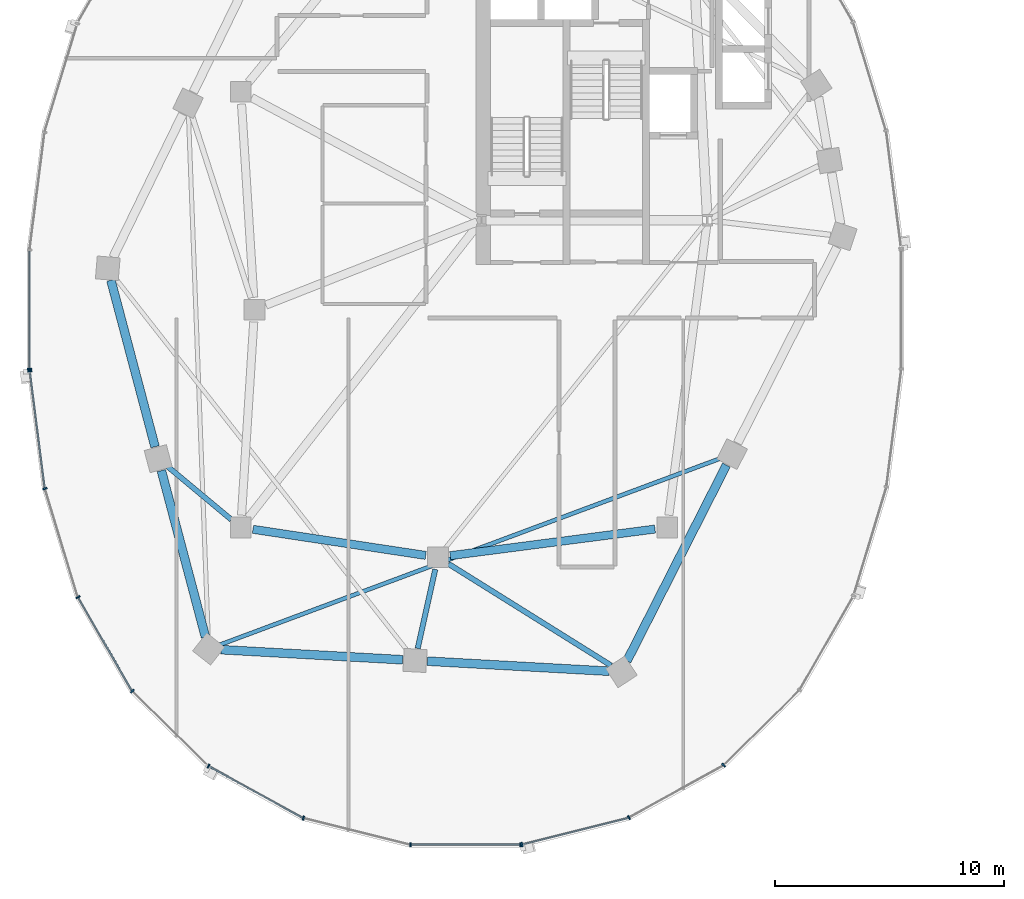
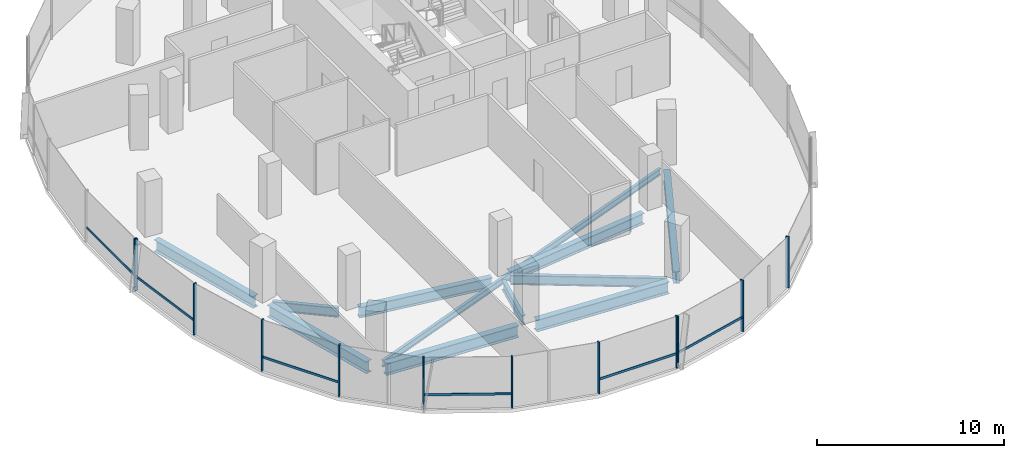
# One storey, part 2 of 22: 18 members, 11 beams, 3 elements without a shape of their own.
"""IFC4 building model written with IfcOpenShell, lengths in metres."""

from ifc_helpers import new_model, si_unit, direction, frame, origin, origin_2d, place, context, subcontext, project, spatial, rectangle, i_section, extrude, material, material_profile, profile_set, type_object, element, aggregate, save


model = new_model("IFC4")

# Units and contexts
model_context = context("Model", 3, precision=1e-05, world=origin(), true_north=direction((0.0, 1.0)))
body_context = subcontext(model_context, "Body", "Model", "MODEL_VIEW")
ifc_project = project(units=[si_unit("LENGTHUNIT", "METRE"), si_unit("AREAUNIT", "SQUARE_METRE"), si_unit("VOLUMEUNIT", "CUBIC_METRE"), si_unit("PLANEANGLEUNIT", "RADIAN"), si_unit("MASSUNIT", "GRAM", prefix="KILO"), si_unit("THERMODYNAMICTEMPERATUREUNIT", "KELVIN"), si_unit("POWERUNIT", "WATT")], contexts=[model_context])

# Site, building, storey
site_placement = place(None, origin())
site = spatial("IfcSite", under=ifc_project, at=site_placement, CompositionType="ELEMENT")
building_placement = place(site_placement, origin())
building = spatial("IfcBuilding", under=site, at=building_placement, Name="Cundina Bronze Exchange", CompositionType="ELEMENT")
storey_placement = place(building_placement, frame((0.0, 0.0, 136.800048828125)))
storey = spatial("IfcBuildingStorey", under=building, at=storey_placement, Name="L35", CompositionType="ELEMENT", Elevation=136.800048828125)

# Beams
ifc_material_1 = material(Name="Steel ASTM A992 Grade 50", Category="steel")
ifc_material_profile_1 = material_profile(ifc_material_1, i_section(OverallWidth=0.22998046875, OverallDepth=0.616943359375, WebThickness=0.01318359375, FlangeThickness=0.022216796875, FilletRadius=0.013916015625, at=origin_2d()), Name="W24X94", Category="steel")
ifc_profile_set_1 = profile_set([ifc_material_profile_1], Name="Steel ASTM A992 Grade 50")
beam_type_1 = type_object("IfcBeamType", Name="BM-FLR-W24B", PredefinedType="BEAM", material=ifc_profile_set_1)
beam_1_placement = place(storey_placement, frame((-42.21337890625, -9.155517578125, -0.548583984375), z_axis=(-0.768243451945, 0.640157791911, 0.0), x_axis=(-0.640157791911, -0.768243451945, 0.0)))
element("IfcBeam", 1, at=beam_1_placement, inside=storey, type_object=beam_type_1, Name="L35 Leg W Radial Floor Beam 09", PredefinedType="BEAM", context=body_context, shape_type="SweptSolid", body=[
    extrude(i_section(OverallWidth=0.22998046875, OverallDepth=0.616943359375, WebThickness=0.01318359375, FlangeThickness=0.022216796875, FilletRadius=0.013916015625, at=origin_2d()), origin(), (0.0, 0.0, 1.0), 3.610107421875),
])
beam_2_placement = place(storey_placement, frame((-33.316650390625, -11.3251953125, -0.548583984375), z_axis=(-0.216930457819, -0.976187060184, 0.0), x_axis=(0.976187060184, -0.216930457819, 0.0)))
element("IfcBeam", 2, at=beam_2_placement, inside=storey, type_object=beam_type_1, Name="L35 Leg W Radial Floor Beam 11", PredefinedType="BEAM", context=body_context, shape_type="SweptSolid", body=[
    extrude(i_section(OverallWidth=0.22998046875, OverallDepth=0.616943359375, WebThickness=0.01318359375, FlangeThickness=0.022216796875, FilletRadius=0.013916015625, at=origin_2d()), origin(), (0.0, 0.0, 1.0), 3.533935546875),
])
beam_3_placement = place(storey_placement, frame((-32.743896484375, -11.085205078125, -0.548583984375), z_axis=(0.848003227047, -0.529991063055, 0.0), x_axis=(0.529991063055, 0.848003227047, 0.0)))
element("IfcBeam", 3, at=beam_3_placement, inside=storey, type_object=beam_type_1, Name="L35 Leg W Radial Floor Beam 12", PredefinedType="BEAM", context=body_context, shape_type="SweptSolid", body=[
    extrude(i_section(OverallWidth=0.22998046875, OverallDepth=0.616943359375, WebThickness=0.01318359375, FlangeThickness=0.022216796875, FilletRadius=0.013916015625, at=origin_2d()), origin(), (0.0, 0.0, 1.0), 8.358154296875),
])
ifc_material_profile_2 = material_profile(ifc_material_1, i_section(OverallWidth=0.178955078125, OverallDepth=0.409912109375, WebThickness=0.0087890625, FlangeThickness=0.014404296875, FilletRadius=0.010986328125, at=origin_2d()), Name="W16X45", Category="steel")
ifc_profile_set_2 = profile_set([ifc_material_profile_2], Name="Steel ASTM A992 Grade 50")
beam_type_2 = type_object("IfcBeamType", Name="BM-JST-W16", PredefinedType="JOIST", material=ifc_profile_set_2)
beam_4_placement = place(storey_placement, frame((-42.69580078125, -14.6123046875, -0.445068359375), z_axis=(0.937127917421, 0.348986054721, 0.0), x_axis=(-0.348986054721, 0.937127917421, 0.0)))
element("IfcBeam", 4, at=beam_4_placement, inside=storey, type_object=beam_type_2, Name="L35 Leg W Lobe Floor Joist 10-13", PredefinedType="JOIST", context=body_context, shape_type="SweptSolid", body=[
    extrude(i_section(OverallWidth=0.178955078125, OverallDepth=0.409912109375, WebThickness=0.0087890625, FlangeThickness=0.014404296875, FilletRadius=0.010986328125, at=origin_2d()), origin(), (0.0, 0.0, 1.0), 23.2802734375),
])
ifc_material_profile_3 = material_profile(ifc_material_1, i_section(OverallWidth=0.35498046875, OverallDepth=0.695068359375, WebThickness=0.015380859375, FlangeThickness=0.02490234375, FilletRadius=0.01806640625, at=origin_2d()), Name="W27X146", Category="steel")
ifc_profile_set_3 = profile_set([ifc_material_profile_3], Name="Steel ASTM A992 Grade 50")
beam_type_3 = type_object("IfcBeamType", Name="BM-RING-W27", PredefinedType="USERDEFINED", material=ifc_profile_set_3)
beam_5_placement = place(storey_placement, frame((-41.26806640625, -9.580322265625, -0.587646484375), z_axis=(0.988767489563, -0.149461873341, 0.0), x_axis=(0.149461873341, 0.988767489563, 0.0)))
element("IfcBeam", 5, at=beam_5_placement, inside=storey, type_object=beam_type_3, Name="L35 W Inner Structural Ring Girder 05", ObjectType="GIRDER", PredefinedType="USERDEFINED", context=body_context, shape_type="SweptSolid", body=[
    extrude(i_section(OverallWidth=0.35498046875, OverallDepth=0.695068359375, WebThickness=0.015380859375, FlangeThickness=0.02490234375, FilletRadius=0.01806640625, at=origin_2d()), origin(), (0.0, 0.0, 1.0), 7.621826171875),
])
beam_6_placement = place(storey_placement, frame((-32.66650390625, -10.730712890625, -0.587646484375), z_axis=(0.991654577907, 0.128923225666, 0.0), x_axis=(-0.128923225666, 0.991654577907, 0.0)))
element("IfcBeam", 6, at=beam_6_placement, inside=storey, type_object=beam_type_3, Name="L35 W Inner Structural Ring Girder 06", ObjectType="GIRDER", PredefinedType="USERDEFINED", context=body_context, shape_type="SweptSolid", body=[
    extrude(i_section(OverallWidth=0.35498046875, OverallDepth=0.695068359375, WebThickness=0.015380859375, FlangeThickness=0.02490234375, FilletRadius=0.01806640625, at=origin_2d()), origin(), (0.0, 0.0, 1.0), 9.00830078125),
])
ifc_material_profile_4 = material_profile(ifc_material_1, i_section(OverallWidth=0.381103515625, OverallDepth=0.77294921875, WebThickness=0.0166015625, FlangeThickness=0.027099609375, FilletRadius=0.01904296875, at=origin_2d()), Name="W30X173", Category="steel")
ifc_profile_set_4 = profile_set([ifc_material_profile_4], Name="Steel ASTM A992 Grade 50")
beam_type_4 = type_object("IfcBeamType", Name="BM-RING-W30", PredefinedType="USERDEFINED", material=ifc_profile_set_4)
for number, where, z_axis, x_axis, name in (
    (7, (-47.462158203125, 1.280029296875, -0.62646484375), (0.256209719931, -0.966621218168, 0.0), (0.966621218168, 0.256209719931, 0.0), "L35 W Perimeter Ring Girder 08"),
    (8, (-45.26220703125, -7.02001953125, -0.62646484375), (0.256209719931, -0.966621218168, 0.0), (0.966621218168, 0.256209719931, 0.0), "L35 W Perimeter Ring Girder 09"),
):
    element("IfcBeam", number, at=place(storey_placement, frame(where, z_axis=z_axis, x_axis=x_axis)), inside=storey, type_object=beam_type_4, Name=name, ObjectType="GIRDER", PredefinedType="USERDEFINED", context=body_context, shape_type="SweptSolid", body=[
        extrude(i_section(OverallWidth=0.381103515625, OverallDepth=0.77294921875, WebThickness=0.0166015625, FlangeThickness=0.027099609375, FilletRadius=0.01904296875, at=origin_2d()), origin(), (0.0, 0.0, 1.0), 7.5107421875),
    ])
for number, where, z_axis, x_axis, name in (
    (9, (-42.662841796875, -14.829833984375, -0.62646484375), (0.99845950136, -0.055485350721, 0.0), (0.055485350721, 0.99845950136, 0.0), "L35 W Perimeter Ring Girder 10"),
    (10, (-33.662841796875, -15.329833984375, -0.62646484375), (0.99845950136, -0.055485350721, 0.0), (0.055485350721, 0.99845950136, 0.0), "L35 W Perimeter Ring Girder 11"),
):
    element("IfcBeam", number, at=place(storey_placement, frame(where, z_axis=z_axis, x_axis=x_axis)), inside=storey, type_object=beam_type_4, Name=name, ObjectType="GIRDER", PredefinedType="USERDEFINED", context=body_context, shape_type="SweptSolid", body=[
        extrude(i_section(OverallWidth=0.381103515625, OverallDepth=0.77294921875, WebThickness=0.0166015625, FlangeThickness=0.027099609375, FilletRadius=0.01904296875, at=origin_2d()), origin(), (0.0, 0.0, 1.0), 7.937744140625),
    ])
beam_7_placement = place(storey_placement, frame((-24.956298828125, -15.3203125, -0.62646484375), z_axis=(0.452832332744, 0.891595692241, 0.0), x_axis=(-0.891595692241, 0.452832332744, 0.0)))
element("IfcBeam", 11, at=beam_7_placement, inside=storey, type_object=beam_type_4, Name="L35 W Perimeter Ring Girder 12", ObjectType="GIRDER", PredefinedType="USERDEFINED", context=body_context, shape_type="SweptSolid", body=[
    extrude(i_section(OverallWidth=0.381103515625, OverallDepth=0.77294921875, WebThickness=0.0166015625, FlangeThickness=0.027099609375, FilletRadius=0.01904296875, at=origin_2d()), origin(), (0.0, 0.0, 1.0), 9.578857421875),
])

# Curtain wall, member
ifc_material_2 = material(Name="Anodised Bronze Aluminium 6063-T6", Category="aluminium")
curtain_wall_type = type_object("IfcCurtainWallType", Name="CWS-WST-PIN", PredefinedType="NOTDEFINED", material=ifc_material_2)
curtain_wall_1_placement = place(storey_placement, origin())
curtain_wall_1 = element("IfcCurtainWall", 12, at=curtain_wall_1_placement, inside=storey, type_object=curtain_wall_type, Name="L35 CW-04 Curtain Wall Run CWR-L35-W2", PredefinedType="NOTDEFINED")
ifc_material_profile_5 = material_profile(ifc_material_2, rectangle(XDim=0.070068359375, YDim=0.18994140625, at=origin_2d()), Name="AL70X190", Category="aluminium")
ifc_profile_set_5 = profile_set([ifc_material_profile_5], Name="Anodised Bronze Aluminium 6063-T6")
member_type_1 = type_object("IfcMemberType", Name="CWM-MUL-190", PredefinedType="MULLION", material=ifc_profile_set_5)
member_1_placement = place(storey_placement, frame((-51.007080078125, -2.593017578125, 0.0), z_axis=(0.0, 0.0, 1.0), x_axis=(0.0, -1.0, 0.0)))
member_1 = element("IfcMember", 13, at=member_1_placement, type_object=member_type_1, Name="CW-04 End Mullion", PredefinedType="MULLION", context=body_context, shape_type="SweptSolid", body=[
    extrude(rectangle(XDim=0.070068359375, YDim=0.18994140625, at=origin_2d()), origin(), (0.0, 0.0, 1.0), 3.35986328125),
])

# Curtain wall, members
curtain_wall_2_placement = place(storey_placement, origin())
curtain_wall_2 = element("IfcCurtainWall", 14, at=curtain_wall_2_placement, inside=storey, type_object=curtain_wall_type, Name="L35 CW-04 Curtain Wall Run CWR-L35-W3", PredefinedType="NOTDEFINED")
member_2_placement = place(storey_placement, frame((-51.001708984375, -2.676025390625, 0.0), z_axis=(0.0, 0.0, 1.0), x_axis=(0.126545236492, -0.991960837494, 0.0)))
member_2 = element("IfcMember", 15, at=member_2_placement, type_object=member_type_1, Name="CW-04 Mullion 1", PredefinedType="MULLION", context=body_context, shape_type="SweptSolid", body=[
    extrude(rectangle(XDim=0.070068359375, YDim=0.18994140625, at=origin_2d()), origin(), (0.0, 0.0, 1.0), 3.35986328125),
])
member_3_placement = place(storey_placement, frame((-50.3408203125, -7.80859375, 0.0), z_axis=(0.0, 0.0, 1.0), x_axis=(0.290034140915, -0.957016299288, 0.0)))
member_3 = element("IfcMember", 16, at=member_3_placement, type_object=member_type_1, Name="CW-04 Mullion 2", PredefinedType="MULLION", context=body_context, shape_type="SweptSolid", body=[
    extrude(rectangle(XDim=0.070068359375, YDim=0.18994140625, at=origin_2d()), origin(), (0.0, 0.0, 1.0), 3.35986328125),
])
member_4_placement = place(storey_placement, frame((-48.89794921875, -12.541259765625, 0.0), z_axis=(0.0, 0.0, 1.0), x_axis=(0.498487739754, -0.866896748936, 0.0)))
member_4 = element("IfcMember", 17, at=member_4_placement, type_object=member_type_1, Name="CW-04 Mullion 3", PredefinedType="MULLION", context=body_context, shape_type="SweptSolid", body=[
    extrude(rectangle(XDim=0.070068359375, YDim=0.18994140625, at=origin_2d()), origin(), (0.0, 0.0, 1.0), 3.35986328125),
])
member_5_placement = place(storey_placement, frame((-46.530517578125, -16.640380859375, 0.0), z_axis=(0.0, 0.0, 1.0), x_axis=(0.712026045991, -0.702153052995, 0.0)))
member_5 = element("IfcMember", 18, at=member_5_placement, type_object=member_type_1, Name="CW-04 Mullion 4", PredefinedType="MULLION", context=body_context, shape_type="SweptSolid", body=[
    extrude(rectangle(XDim=0.070068359375, YDim=0.18994140625, at=origin_2d()), origin(), (0.0, 0.0, 1.0), 3.35986328125),
])
member_6_placement = place(storey_placement, frame((-43.20654296875, -19.906005859375, 0.0), z_axis=(0.0, 0.0, 1.0), x_axis=(0.875885937035, -0.482518212408, 0.0)))
member_6 = element("IfcMember", 19, at=member_6_placement, type_object=member_type_1, Name="CW-04 Mullion 5", PredefinedType="MULLION", context=body_context, shape_type="SweptSolid", body=[
    extrude(rectangle(XDim=0.070068359375, YDim=0.18994140625, at=origin_2d()), origin(), (0.0, 0.0, 1.0), 3.35986328125),
])
member_7_placement = place(storey_placement, frame((-39.067626953125, -22.17626953125, 0.0), z_axis=(0.0, 0.0, 1.0), x_axis=(0.970084240161, -0.242768546132, 0.0)))
member_7 = element("IfcMember", 20, at=member_7_placement, type_object=member_type_1, Name="CW-04 Mullion 6", PredefinedType="MULLION", context=body_context, shape_type="SweptSolid", body=[
    extrude(rectangle(XDim=0.070068359375, YDim=0.18994140625, at=origin_2d()), origin(), (0.0, 0.0, 1.0), 3.35986328125),
])
member_8_placement = place(storey_placement, frame((-34.39404296875, -23.3369140625, 0.0), z_axis=(0.0, 0.0, 1.0), x_axis=(1.0, 0.0, 0.0)))
member_8 = element("IfcMember", 21, at=member_8_placement, type_object=member_type_1, Name="CW-04 Mullion 7", PredefinedType="MULLION", context=body_context, shape_type="SweptSolid", body=[
    extrude(rectangle(XDim=0.070068359375, YDim=0.18994140625, at=origin_2d()), origin(), (0.0, 0.0, 1.0), 3.35986328125),
])
member_9_placement = place(storey_placement, frame((-29.60595703125, -23.3369140625, 0.0), z_axis=(0.0, 0.0, 1.0), x_axis=(1.0, 0.0, 0.0)))
member_9 = element("IfcMember", 22, at=member_9_placement, type_object=member_type_1, Name="CW-04 End Mullion", PredefinedType="MULLION", context=body_context, shape_type="SweptSolid", body=[
    extrude(rectangle(XDim=0.070068359375, YDim=0.18994140625, at=origin_2d()), origin(), (0.0, 0.0, 1.0), 3.35986328125),
])

curtain_wall_3_placement = place(storey_placement, origin())
curtain_wall_3 = element("IfcCurtainWall", 23, at=curtain_wall_3_placement, inside=storey, type_object=curtain_wall_type, Name="L35 CW-04 Curtain Wall Run CWR-L35-W4", PredefinedType="NOTDEFINED")
member_10_placement = place(storey_placement, frame((-29.537353515625, -23.32861328125, 0.0), z_axis=(0.0, 0.0, 1.0), x_axis=(0.970084240161, 0.242768546132, 0.0)))
member_10 = element("IfcMember", 24, at=member_10_placement, type_object=member_type_1, Name="CW-04 Mullion 1", PredefinedType="MULLION", context=body_context, shape_type="SweptSolid", body=[
    extrude(rectangle(XDim=0.070068359375, YDim=0.18994140625, at=origin_2d()), origin(), (0.0, 0.0, 1.0), 3.35986328125),
])
member_11_placement = place(storey_placement, frame((-24.86962890625, -22.151611328125, 0.0), z_axis=(0.0, 0.0, 1.0), x_axis=(0.875885937035, 0.482518212408, 0.0)))
member_11 = element("IfcMember", 25, at=member_11_placement, type_object=member_type_1, Name="CW-04 Mullion 2", PredefinedType="MULLION", context=body_context, shape_type="SweptSolid", body=[
    extrude(rectangle(XDim=0.070068359375, YDim=0.18994140625, at=origin_2d()), origin(), (0.0, 0.0, 1.0), 3.35986328125),
])
member_12_placement = place(storey_placement, frame((-20.740966796875, -19.86669921875, 0.0), z_axis=(0.0, 0.0, 1.0), x_axis=(0.712026045991, 0.702153052995, 0.0)))
member_12 = element("IfcMember", 26, at=member_12_placement, type_object=member_type_1, Name="CW-04 Mullion 3", PredefinedType="MULLION", context=body_context, shape_type="SweptSolid", body=[
    extrude(rectangle(XDim=0.070068359375, YDim=0.18994140625, at=origin_2d()), origin(), (0.0, 0.0, 1.0), 3.35986328125),
])

# Member
ifc_material_profile_6 = material_profile(ifc_material_2, rectangle(XDim=0.06494140625, YDim=0.14990234375, at=origin_2d()), Name="AL65X150", Category="aluminium")
ifc_profile_set_6 = profile_set([ifc_material_profile_6], Name="Anodised Bronze Aluminium 6063-T6")
member_type_2 = type_object("IfcMemberType", Name="CWM-TRN-150", PredefinedType="USERDEFINED", material=ifc_profile_set_6)
member_13_placement = place(storey_placement, frame((-51.007080078125, 2.554443359375, 0.919921875), z_axis=(0.0, -1.0, 0.0), x_axis=(1.0, 0.0, 0.0)))
member_13 = element("IfcMember", 27, at=member_13_placement, type_object=member_type_2, Name="CW-04 Spandrel Transom 7", ObjectType="TRANSOM", PredefinedType="USERDEFINED", context=body_context, shape_type="SweptSolid", body=[
    extrude(rectangle(XDim=0.06494140625, YDim=0.14990234375, at=origin_2d()), origin(), (0.0, 0.0, 1.0), 5.10888671875),
])

aggregate(curtain_wall_1, [member_1, member_13])

member_14_placement = place(storey_placement, frame((-50.996826171875, -2.71435546875, 0.919921875), z_axis=(0.12646340362, -0.991971273548, 0.0), x_axis=(0.991971273548, 0.12646340362, 0.0)))
member_14 = element("IfcMember", 28, at=member_14_placement, type_object=member_type_2, Name="CW-04 Spandrel Transom 1", ObjectType="TRANSOM", PredefinedType="USERDEFINED", context=body_context, shape_type="SweptSolid", body=[
    extrude(rectangle(XDim=0.06494140625, YDim=0.14990234375, at=origin_2d()), origin(), (0.0, 0.0, 1.0), 5.0966796875),
])

member_15_placement = place(storey_placement, frame((-48.878662109375, -12.574462890625, 0.919921875), z_axis=(0.498479967047, -0.866901218394, 0.0), x_axis=(0.866901218394, 0.498479967047, 0.0)))
member_15 = element("IfcMember", 29, at=member_15_placement, type_object=member_type_2, Name="CW-04 Spandrel Transom 3", ObjectType="TRANSOM", PredefinedType="USERDEFINED", context=body_context, shape_type="SweptSolid", body=[
    extrude(rectangle(XDim=0.06494140625, YDim=0.14990234375, at=origin_2d()), origin(), (0.0, 0.0, 1.0), 4.66845703125),
])

member_16_placement = place(storey_placement, frame((-43.1728515625, -19.924560546875, 0.919921875), z_axis=(0.875878981549, -0.482530838062, 0.0), x_axis=(0.482530838062, 0.875878981549, 0.0)))
member_16 = element("IfcMember", 30, at=member_16_placement, type_object=member_type_2, Name="CW-04 Spandrel Transom 5", ObjectType="TRANSOM", PredefinedType="USERDEFINED", context=body_context, shape_type="SweptSolid", body=[
    extrude(rectangle(XDim=0.06494140625, YDim=0.14990234375, at=origin_2d()), origin(), (0.0, 0.0, 1.0), 4.65380859375),
])

member_17_placement = place(storey_placement, frame((-34.35546875, -23.3369140625, 0.919921875), z_axis=(1.0, 0.0, 0.0), x_axis=(0.0, 1.0, 0.0)))
member_17 = element("IfcMember", 31, at=member_17_placement, type_object=member_type_2, Name="CW-04 Spandrel Transom 7", ObjectType="TRANSOM", PredefinedType="USERDEFINED", context=body_context, shape_type="SweptSolid", body=[
    extrude(rectangle(XDim=0.06494140625, YDim=0.14990234375, at=origin_2d()), origin(), (0.0, 0.0, 1.0), 4.7109375),
])

aggregate(curtain_wall_2, [member_2, member_14, member_3, member_4, member_15, member_5, member_6, member_16, member_7, member_8, member_9, member_17])

member_18_placement = place(storey_placement, frame((-29.5, -23.319091796875, 0.919921875), z_axis=(0.970100130035, 0.242705042606, 0.0), x_axis=(-0.242705042606, 0.970100130035, 0.0)))
member_18 = element("IfcMember", 32, at=member_18_placement, type_object=member_type_2, Name="CW-04 Spandrel Transom 1", ObjectType="TRANSOM", PredefinedType="USERDEFINED", context=body_context, shape_type="SweptSolid", body=[
    extrude(rectangle(XDim=0.06494140625, YDim=0.14990234375, at=origin_2d()), origin(), (0.0, 0.0, 1.0), 4.746826171875),
])

aggregate(curtain_wall_3, [member_10, member_18, member_11, member_12])

save(model, "model.ifc")
